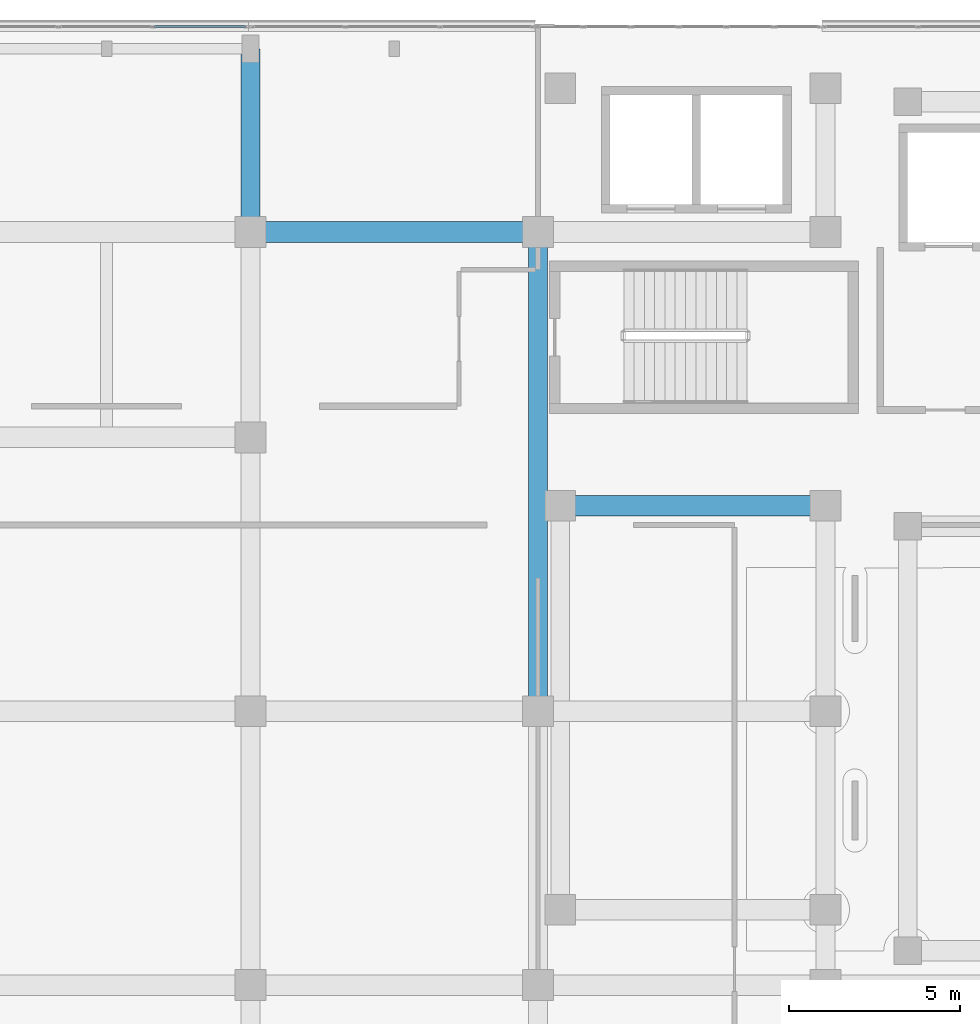
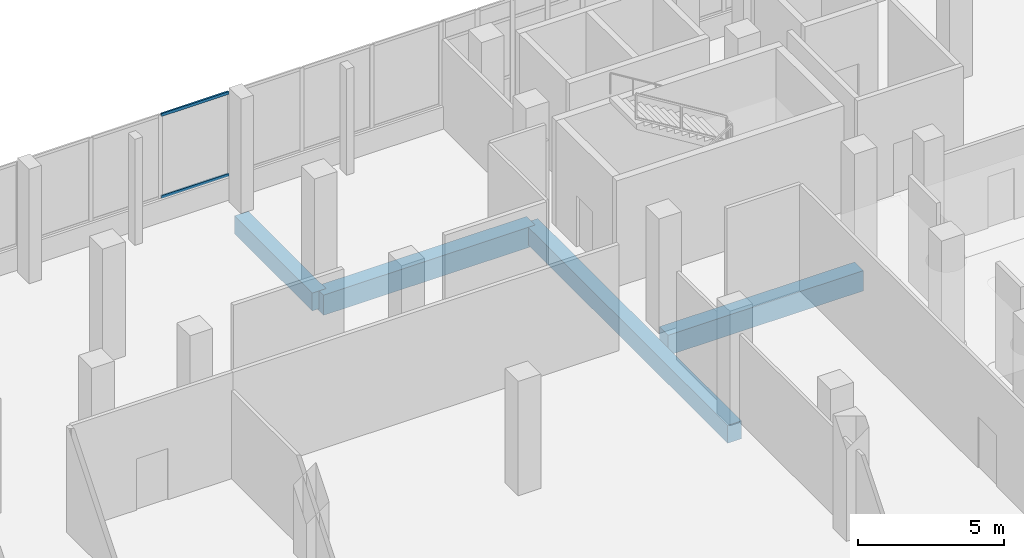
# One storey, part 80 of 168: 4 beams, 2 members, 1 element without a shape of its own.
"""IFC4 building model written with IfcOpenShell, lengths in metres."""

from ifc_helpers import new_model, si_unit, direction, frame, origin, origin_2d, place, context, subcontext, project, spatial, rectangle, hollow_rectangle, extrude, material, material_profile, profile_set, type_object, element, aggregate, save


model = new_model("IFC4")

# Units and contexts
model_context = context("Model", 3, precision=1e-05, world=origin(), true_north=direction((0.0, 1.0)))
body_context = subcontext(model_context, "Body", "Model", "MODEL_VIEW")
ifc_project = project(units=[si_unit("LENGTHUNIT", "METRE"), si_unit("AREAUNIT", "SQUARE_METRE"), si_unit("VOLUMEUNIT", "CUBIC_METRE"), si_unit("PLANEANGLEUNIT", "RADIAN"), si_unit("MASSUNIT", "GRAM", prefix="KILO")], contexts=[model_context])

# Site, building, storey
site_placement = place(None, origin())
site = spatial("IfcSite", under=ifc_project, at=site_placement, CompositionType="ELEMENT")
building_placement = place(site_placement, origin())
building = spatial("IfcBuilding", under=site, at=building_placement, Name="Selatvlak General Hospital", CompositionType="ELEMENT")
storey_placement = place(building_placement, frame((0.0, 0.0, 5.39990234375)))
storey = spatial("IfcBuildingStorey", under=building, at=storey_placement, Name="L01", CompositionType="ELEMENT", Elevation=5.39990234375)

# Beams
ifc_material_1 = material(Name="Concrete C40/50", Category="concrete")
ifc_material_profile_1 = material_profile(ifc_material_1, rectangle(XDim=0.60009765625, YDim=0.85009765625, at=origin_2d()), Name="RC-BM 600x850")
ifc_profile_set_1 = profile_set([ifc_material_profile_1], Name="Concrete C40/50")
beam_type_1 = type_object("IfcBeamType", Name="BM-G01", PredefinedType="BEAM", material=ifc_profile_set_1)
beam_1_placement = place(storey_placement, frame((48.64990234375, 106.0, -0.744873046875), z_axis=(1.0, 0.0, 0.0), x_axis=(0.0, 1.0, 0.0)))
element("IfcBeam", 1, at=beam_1_placement, inside=storey, type_object=beam_type_1, Name="Beam BMR-L01-0494", PredefinedType="BEAM", context=body_context, shape_type="SweptSolid", body=[
    extrude(rectangle(XDim=0.60009765625, YDim=0.85009765625, at=origin_2d()), origin(), (0.0, 0.0, 1.0), 7.75),
])
beam_2_placement = place(storey_placement, frame((39.60009765625, 114.0, -0.744873046875), z_axis=(1.0, 0.0, 0.0), x_axis=(0.0, 1.0, 0.0)))
element("IfcBeam", 2, at=beam_2_placement, inside=storey, type_object=beam_type_1, Name="Beam BMR-L01-0513", PredefinedType="BEAM", context=body_context, shape_type="SweptSolid", body=[
    extrude(rectangle(XDim=0.60009765625, YDim=0.85009765625, at=origin_2d()), origin(), (0.0, 0.0, 1.0), 8.39990234375),
])
ifc_material_profile_2 = material_profile(ifc_material_1, rectangle(XDim=0.550048828125, YDim=0.75, at=origin_2d()), Name="RC-BM 550x750")
ifc_profile_set_2 = profile_set([ifc_material_profile_2], Name="Concrete C40/50")
beam_type_2 = type_object("IfcBeamType", Name="BM-G02", PredefinedType="BEAM", material=ifc_profile_set_2)
beam_3_placement = place(storey_placement, frame((39.60009765625, 114.0, -0.69482421875), z_axis=(0.0, 1.0, 0.0), x_axis=(-1.0, 0.0, 0.0)))
element("IfcBeam", 3, at=beam_3_placement, inside=storey, type_object=beam_type_2, Name="Beam BMR-L01-0566", PredefinedType="BEAM", context=body_context, shape_type="SweptSolid", body=[
    extrude(rectangle(XDim=0.550048828125, YDim=0.75, at=origin_2d()), origin(), (0.0, 0.0, 1.0), 5.35009765625),
])
beam_4_placement = place(storey_placement, frame((48.0, 100.0, -0.69482421875), z_axis=(0.0, 1.0, 0.0), x_axis=(-1.0, 0.0, 0.0)))
element("IfcBeam", 4, at=beam_4_placement, inside=storey, type_object=beam_type_2, Name="Beam BMR-L01-0570", PredefinedType="BEAM", context=body_context, shape_type="SweptSolid", body=[
    extrude(rectangle(XDim=0.550048828125, YDim=0.75, at=origin_2d()), origin(), (0.0, 0.0, 1.0), 14.0),
])

# Curtain wall, members
ifc_material_2 = material(Name="Solar-control Low-E double glazing", Category="glass")
curtain_wall_type = type_object("IfcCurtainWallType", Name="CW-CW-01", PredefinedType="USERDEFINED", material=ifc_material_2)
curtain_wall_placement = place(storey_placement, origin())
curtain_wall = element("IfcCurtainWall", 5, at=curtain_wall_placement, inside=storey, type_object=curtain_wall_type, Name="Glazed facade curtain wall CW-L01-0114", ObjectType="UNITISED CURTAIN WALL", PredefinedType="USERDEFINED")
ifc_material_3 = material(Name="Dark anodised aluminium mullion", Category="aluminium")
ifc_material_profile_3 = material_profile(ifc_material_3, hollow_rectangle(XDim=0.06494140625, YDim=0.1201171875, WallThickness=0.00390625, at=origin_2d()), Name="AL-TRN 65x120x4")
ifc_profile_set_3 = profile_set([ifc_material_profile_3], Name="Dark anodised aluminium mullion")
member_type = type_object("IfcMemberType", Name="CWT-01", PredefinedType="USERDEFINED", material=ifc_profile_set_3)
member_1_placement = place(storey_placement, frame((36.790771484375, 119.9990234375, 0.97265625), z_axis=(1.0, 0.0, 0.0), x_axis=(0.0, 1.0, 0.0)))
member_1 = element("IfcMember", 6, at=member_1_placement, type_object=member_type, Name="CW-01 transom 3.1", ObjectType="TRANSOM", PredefinedType="USERDEFINED", context=body_context, shape_type="SweptSolid", body=[
    extrude(hollow_rectangle(XDim=0.06494140625, YDim=0.1201171875, WallThickness=0.00390625, at=origin_2d()), origin(), (0.0, 0.0, 1.0), 2.669189453125),
])
member_2_placement = place(storey_placement, frame((36.790771484375, 119.9990234375, 4.41259765625), z_axis=(1.0, 0.0, 0.0), x_axis=(0.0, 1.0, 0.0)))
member_2 = element("IfcMember", 7, at=member_2_placement, type_object=member_type, Name="CW-01 transom 3.2", ObjectType="TRANSOM", PredefinedType="USERDEFINED", context=body_context, shape_type="SweptSolid", body=[
    extrude(hollow_rectangle(XDim=0.06494140625, YDim=0.1201171875, WallThickness=0.00390625, at=origin_2d()), origin(), (0.0, 0.0, 1.0), 2.669189453125),
])
aggregate(curtain_wall, [member_1, member_2])

save(model, "model.ifc")
